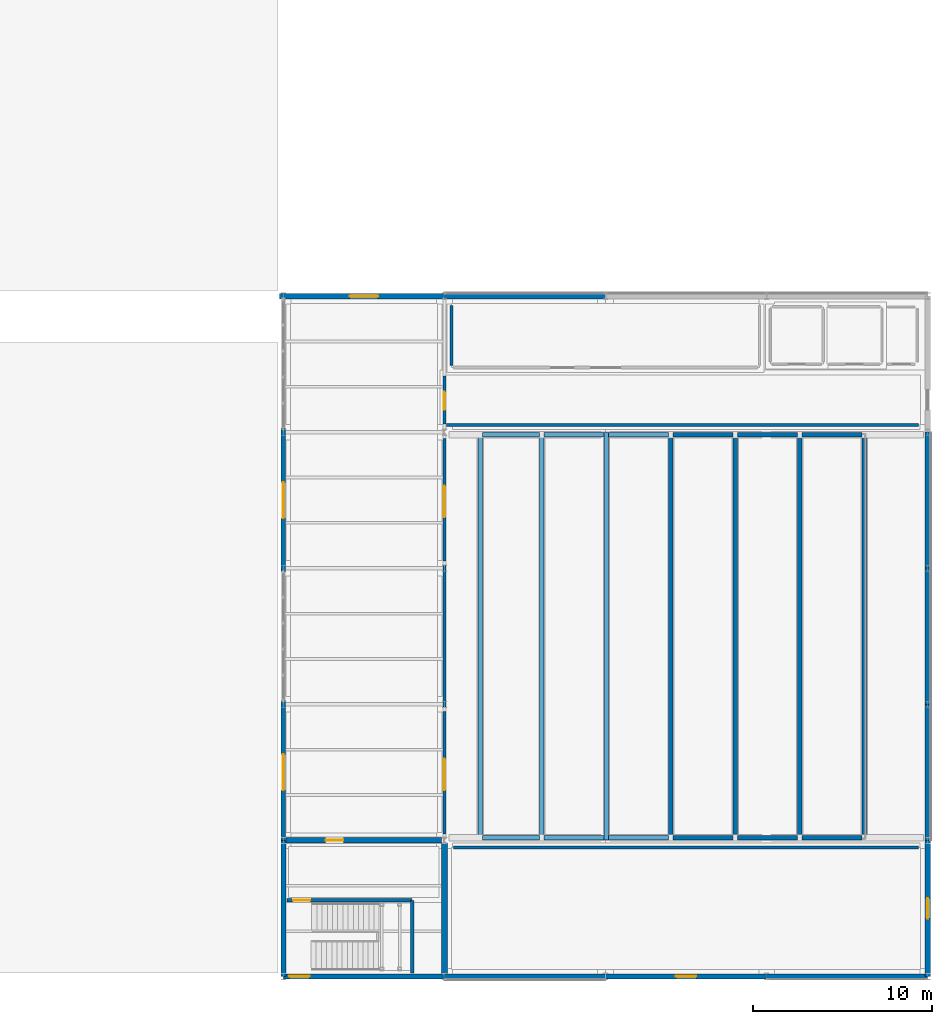
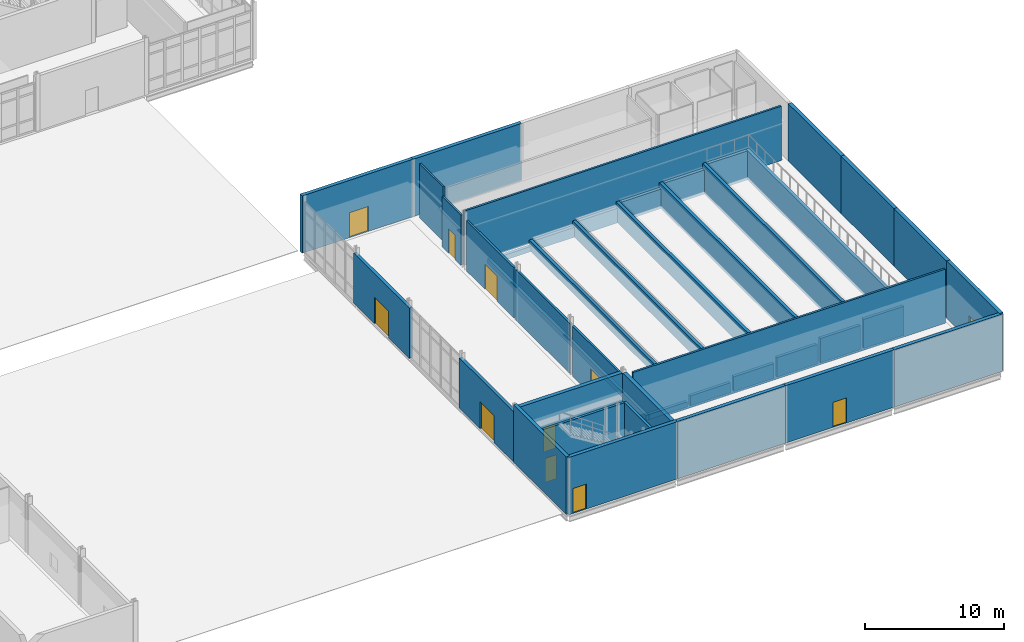
# One storey, part 148 of 161: 43 walls, 11 doors, 11 openings.
"""IFC4 building model written with IfcOpenShell, lengths in metres."""

from ifc_helpers import new_model, si_unit, direction, frame, frame_2d, origin, place, context, subcontext, project, spatial, rectangle, extrude, material, layer, layer_set, type_object, element, fill, save


model = new_model("IFC4")

# Units and contexts
model_context = context("Model", 3, precision=1e-05, world=origin(), true_north=direction((0.0, 1.0)))
body_context = subcontext(model_context, "Body", "Model", "MODEL_VIEW")
ifc_project = project(units=[si_unit("LENGTHUNIT", "METRE"), si_unit("AREAUNIT", "SQUARE_METRE"), si_unit("VOLUMEUNIT", "CUBIC_METRE"), si_unit("PLANEANGLEUNIT", "RADIAN"), si_unit("MASSUNIT", "GRAM", prefix="KILO")], contexts=[model_context])

# Site, building, storey
site_placement = place(None, origin())
site = spatial("IfcSite", under=ifc_project, at=site_placement, CompositionType="ELEMENT")
building_placement = place(site_placement, origin())
building = spatial("IfcBuilding", under=site, at=building_placement, Name="Caisbarro Railhouse Central Library", CompositionType="ELEMENT")
storey_placement = place(building_placement, origin())
storey = spatial("IfcBuildingStorey", under=building, at=storey_placement, Name="L00", CompositionType="ELEMENT", Elevation=0.0)

# Wall, opening, door
ifc_material_1 = material(Name="Concrete C40", Category="concrete")
ifc_layer_1 = layer(ifc_material_1, 0.320068359375, Name="Concrete C40")
ifc_layer_set_1 = layer_set([ifc_layer_1], Name="Concrete C40")
wall_type_1 = type_object("IfcWallType", Name="WAL-CW32", PredefinedType="SHEAR", material=ifc_layer_set_1)
wall_1_placement = place(storey_placement, frame((144.159912109375, 7.60009765625, 0.0), z_axis=(0.0, 0.0, 1.0), x_axis=(1.0, 0.0, 0.0)))
wall_1 = element("IfcWall", 1, at=wall_1_placement, inside=storey, type_object=wall_type_1, Name="CW32 RC core shear wall L00 #111", PredefinedType="SHEAR", context=body_context, shape_type="SweptSolid", body=[
    extrude(rectangle(XDim=8.68017578125, YDim=0.320068359375, at=frame_2d((4.340087890625, 0.0))), origin(), (0.0, 0.0, 1.0), 4.760009765625),
])
opening_1_placement = place(wall_1_placement, frame((2.199951171875, 0.0, 0.0)))
opening_1 = element("IfcOpeningElement", 2, at=opening_1_placement, cuts=wall_1, Name="Opening FD05", PredefinedType="OPENING", context=body_context, shape_type="SweptSolid", body=[
    extrude(rectangle(XDim=1.0, YDim=2.14990234375, at=frame_2d((0.5, 1.074951171875))), frame((0.0, 0.169921875, 0.0), z_axis=(0.0, -1.0, 0.0), x_axis=(1.0, 0.0, 0.0)), (0.0, 0.0, 1.0), 0.340087890625),
])
ifc_material_2 = material(Name="Fire-rated painted galvanised steel", Category="steel")
door_type_1 = type_object("IfcDoorType", Name="DR-FD05", OperationType="NOTDEFINED", PredefinedType="DOOR", material=ifc_material_2)
door_1_placement = place(opening_1_placement, origin())
door_1 = element("IfcDoor", 3, at=door_1_placement, inside=storey, type_object=door_type_1, Name="Core K9 Lobby Door FD05 L00-142", OperationType="SINGLE_SWING_LEFT", OverallHeight=2.14990234375, OverallWidth=1.0, PredefinedType="DOOR", context=body_context, shape_type="SweptSolid", body=[
    extrude(rectangle(XDim=1.0, YDim=2.14990234375, at=frame_2d((0.5, 1.074951171875))), frame((0.0, 0.02490234375, 0.0), z_axis=(0.0, -1.0, 0.0), x_axis=(1.0, 0.0, 0.0)), (0.0, 0.0, 1.0), 0.050048828125),
])
fill(opening_1, door_1)

# Wall
wall_2_placement = place(storey_placement, frame((153.0, 0.159912109375, 0.0), z_axis=(0.0, 0.0, 1.0), x_axis=(0.0, 1.0, 0.0)))
element("IfcWall", 4, at=wall_2_placement, inside=storey, type_object=wall_type_1, Name="CW32 RC core shear wall L00 #112", PredefinedType="SHEAR", context=body_context, shape_type="SweptSolid", body=[
    extrude(rectangle(XDim=7.280029296875, YDim=0.320068359375, at=frame_2d((3.64013671875, 0.0))), origin(), (0.0, 0.0, 1.0), 4.760009765625),
])

# Wall, opening, door
ifc_material_3 = material(Name="Concrete C35 insulated architectural precast", Category="concrete")
ifc_layer_2 = layer(ifc_material_3, 0.260009765625, Name="Concrete C35 insulated architectural precast")
ifc_layer_set_2 = layer_set([ifc_layer_2], Name="Concrete C35 insulated architectural precast")
wall_type_2 = type_object("IfcWallType", Name="WAL-EW26", PredefinedType="STANDARD", material=ifc_layer_set_2)
wall_3_placement = place(storey_placement, frame((144.0, 7.60009765625, 0.0), z_axis=(0.0, 0.0, 1.0), x_axis=(0.0, 1.0, 0.0)))
wall_3 = element("IfcWall", 5, at=wall_3_placement, inside=storey, type_object=wall_type_2, Name="EW26 exterior wall L00 #158", PredefinedType="STANDARD", context=body_context, shape_type="SweptSolid", body=[
    extrude(rectangle(XDim=7.809814453125, YDim=0.260009765625, at=frame_2d((3.90478515625, 0.0))), origin(), (0.0, 0.0, 1.0), 4.410888671875),
])
opening_2_placement = place(wall_3_placement, frame((2.800048828125, 0.0, 0.0)))
opening_2 = element("IfcOpeningElement", 6, at=opening_2_placement, cuts=wall_3, Name="Opening ED02", PredefinedType="OPENING", context=body_context, shape_type="SweptSolid", body=[
    extrude(rectangle(XDim=2.0, YDim=2.35009765625, at=frame_2d((1.0, 1.175048828125))), frame((0.0, 0.14013671875, 0.0), z_axis=(0.0, -1.0, 0.0), x_axis=(1.0, 0.0, 0.0)), (0.0, 0.0, 1.0), 0.280029296875),
])
ifc_material_4 = material(Name="Thermally broken anodised aluminium and safety glass", Category="aluminium")
door_type_2 = type_object("IfcDoorType", Name="DR-ED02", OperationType="NOTDEFINED", PredefinedType="DOOR", material=ifc_material_4)
door_2_placement = place(opening_2_placement, origin())
door_2 = element("IfcDoor", 7, at=door_2_placement, inside=storey, type_object=door_type_2, Name="Exit Door ED02 L00-29", OperationType="SINGLE_SWING_LEFT", OverallHeight=2.35009765625, OverallWidth=2.0, PredefinedType="DOOR", context=body_context, shape_type="SweptSolid", body=[
    extrude(rectangle(XDim=2.0, YDim=2.35009765625, at=frame_2d((1.0, 1.175048828125))), frame((0.0, 0.02490234375, 0.0), z_axis=(0.0, -1.0, 0.0), x_axis=(1.0, 0.0, 0.0)), (0.0, 0.0, 1.0), 0.050048828125),
])
fill(opening_2, door_2)

wall_4_placement = place(storey_placement, frame((144.0, 22.590087890625, 0.0), z_axis=(0.0, 0.0, 1.0), x_axis=(0.0, 1.0, 0.0)))
wall_4 = element("IfcWall", 8, at=wall_4_placement, inside=storey, type_object=wall_type_2, Name="EW26 exterior wall L00 #161", PredefinedType="STANDARD", context=body_context, shape_type="SweptSolid", body=[
    extrude(rectangle(XDim=8.02001953125, YDim=0.260009765625, at=frame_2d((4.010009765625, 0.0))), origin(), (0.0, 0.0, 1.0), 4.410888671875),
])
opening_3_placement = place(wall_4_placement, frame((3.010009765625, 0.0, 0.0)))
opening_3 = element("IfcOpeningElement", 9, at=opening_3_placement, cuts=wall_4, Name="Opening ED02", PredefinedType="OPENING", context=body_context, shape_type="SweptSolid", body=[
    extrude(rectangle(XDim=2.0, YDim=2.35009765625, at=frame_2d((1.0, 1.175048828125))), frame((0.0, 0.14013671875, 0.0), z_axis=(0.0, -1.0, 0.0), x_axis=(1.0, 0.0, 0.0)), (0.0, 0.0, 1.0), 0.280029296875),
])
door_3_placement = place(opening_3_placement, origin())
door_3 = element("IfcDoor", 10, at=door_3_placement, inside=storey, type_object=door_type_2, Name="Exit Door ED02 L00-30", OperationType="SINGLE_SWING_RIGHT", OverallHeight=2.35009765625, OverallWidth=2.0, PredefinedType="DOOR", context=body_context, shape_type="SweptSolid", body=[
    extrude(rectangle(XDim=2.0, YDim=2.35009765625, at=frame_2d((1.0, 1.175048828125))), frame((0.0, 0.02490234375, 0.0), z_axis=(0.0, -1.0, 0.0), x_axis=(1.0, 0.0, 0.0)), (0.0, 0.0, 1.0), 0.050048828125),
])
fill(opening_3, door_3)

# Wall
ifc_layer_3 = layer(ifc_material_1, 0.280029296875, Name="Concrete C40")
ifc_layer_set_3 = layer_set([ifc_layer_3], Name="Concrete C40")
wall_type_3 = type_object("IfcWallType", Name="WAL-EW28", PredefinedType="SOLIDWALL", material=ifc_layer_set_3)
wall_5_placement = place(storey_placement, frame((144.0, 0.0, 0.0), z_axis=(0.0, 0.0, 1.0), x_axis=(0.0, 1.0, 0.0)))
element("IfcWall", 11, at=wall_5_placement, inside=storey, type_object=wall_type_3, Name="EW28 exterior wall L00 #156", PredefinedType="SOLIDWALL", context=body_context, shape_type="SweptSolid", body=[
    extrude(rectangle(XDim=7.60009765625, YDim=0.280029296875, at=frame_2d((3.800048828125, 0.0))), origin(), (0.0, 0.0, 1.0), 5.0400390625),
])

# Wall, opening, door
ifc_layer_4 = layer(ifc_material_1, 0.300048828125, Name="Concrete C40")
ifc_layer_set_4 = layer_set([ifc_layer_4], Name="Concrete C40")
wall_type_4 = type_object("IfcWallType", Name="WAL-EW30", PredefinedType="SOLIDWALL", material=ifc_layer_set_4)
wall_6_placement = place(storey_placement, frame((180.0, 0.0, 0.0), z_axis=(0.0, 0.0, 1.0), x_axis=(0.0, 1.0, 0.0)))
wall_6 = element("IfcWall", 12, at=wall_6_placement, inside=storey, type_object=wall_type_4, Name="EW30 exterior wall L00 #157", PredefinedType="SOLIDWALL", context=body_context, shape_type="SweptSolid", body=[
    extrude(rectangle(XDim=7.60009765625, YDim=0.300048828125, at=frame_2d((3.800048828125, 0.0))), origin(), (0.0, 0.0, 1.0), 5.0400390625),
])
opening_4_placement = place(wall_6_placement, frame((3.22509765625, 0.0, 0.0)))
opening_4 = element("IfcOpeningElement", 13, at=opening_4_placement, cuts=wall_6, Name="Opening ED05", PredefinedType="OPENING", context=body_context, shape_type="SweptSolid", body=[
    extrude(rectangle(XDim=1.14990234375, YDim=2.199951171875, at=frame_2d((0.574951171875, 1.10009765625))), frame((0.0, 0.16015625, 0.0), z_axis=(0.0, -1.0, 0.0), x_axis=(1.0, 0.0, 0.0)), (0.0, 0.0, 1.0), 0.320068359375),
])
ifc_material_5 = material(Name="Galvanised painted hollow steel", Category="steel")
door_type_3 = type_object("IfcDoorType", Name="DR-ED05", OperationType="NOTDEFINED", PredefinedType="DOOR", material=ifc_material_5)
door_4_placement = place(opening_4_placement, frame((1.14990234375, 0.0, 0.0), z_axis=(0.0, 0.0, 1.0), x_axis=(-1.0, 0.0, 0.0)))
door_4 = element("IfcDoor", 14, at=door_4_placement, inside=storey, type_object=door_type_3, Name="Exit Door ED05 L00-28", OperationType="SINGLE_SWING_LEFT", OverallHeight=2.199951171875, OverallWidth=1.14990234375, PredefinedType="DOOR", context=body_context, shape_type="SweptSolid", body=[
    extrude(rectangle(XDim=1.14990234375, YDim=2.199951171875, at=frame_2d((0.574951171875, 1.10009765625))), frame((0.0, 0.02490234375, 0.0), z_axis=(0.0, -1.0, 0.0), x_axis=(1.0, 0.0, 0.0)), (0.0, 0.0, 1.0), 0.050048828125),
])
fill(opening_4, door_4)

# Walls
wall_7_placement = place(storey_placement, frame((180.0, 7.60009765625, 0.0), z_axis=(0.0, 0.0, 1.0), x_axis=(0.0, 1.0, 0.0)))
element("IfcWall", 15, at=wall_7_placement, inside=storey, type_object=wall_type_4, Name="EW30 exterior wall L00 #159", PredefinedType="SOLIDWALL", context=body_context, shape_type="SweptSolid", body=[
    extrude(rectangle(XDim=7.599853515625, YDim=0.300048828125, at=frame_2d((3.7998046875, 0.0))), origin(), (0.0, 0.0, 1.0), 5.0400390625),
])
wall_8_placement = place(storey_placement, frame((180.0, 15.199951171875, 0.0), z_axis=(0.0, 0.0, 1.0), x_axis=(0.0, 1.0, 0.0)))
element("IfcWall", 16, at=wall_8_placement, inside=storey, type_object=wall_type_4, Name="EW30 exterior wall L00 #160", PredefinedType="SOLIDWALL", context=body_context, shape_type="SweptSolid", body=[
    extrude(rectangle(XDim=7.60009765625, YDim=0.300048828125, at=frame_2d((3.800048828125, 0.0))), origin(), (0.0, 0.0, 1.0), 5.0400390625),
])
wall_9_placement = place(storey_placement, frame((180.0, 22.800048828125, 0.0), z_axis=(0.0, 0.0, 1.0), x_axis=(0.0, 1.0, 0.0)))
element("IfcWall", 17, at=wall_9_placement, inside=storey, type_object=wall_type_4, Name="EW30 exterior wall L00 #162", PredefinedType="SOLIDWALL", context=body_context, shape_type="SweptSolid", body=[
    extrude(rectangle(XDim=7.599853515625, YDim=0.300048828125, at=frame_2d((3.7998046875, 0.0))), origin(), (0.0, 0.0, 1.0), 5.0400390625),
])

# Wall, opening, door
wall_10_placement = place(storey_placement, frame((144.0, 0.0, 0.0), z_axis=(0.0, 0.0, 1.0), x_axis=(1.0, 0.0, 0.0)))
wall_10 = element("IfcWall", 18, at=wall_10_placement, inside=storey, type_object=wall_type_4, Name="EW30 exterior wall L00 #164", PredefinedType="SOLIDWALL", context=body_context, shape_type="SweptSolid", body=[
    extrude(rectangle(XDim=9.0, YDim=0.300048828125, at=frame_2d((4.5, 0.0))), origin(), (0.0, 0.0, 1.0), 5.0400390625),
])
opening_5_placement = place(wall_10_placement, frame((0.320068359375, 0.0, 0.0)))
opening_5 = element("IfcOpeningElement", 19, at=opening_5_placement, cuts=wall_10, Name="Opening ED05", PredefinedType="OPENING", context=body_context, shape_type="SweptSolid", body=[
    extrude(rectangle(XDim=1.14990234375, YDim=2.199951171875, at=frame_2d((0.574951171875, 1.10009765625))), frame((0.0, 0.16015625, 0.0), z_axis=(0.0, -1.0, 0.0), x_axis=(1.0, 0.0, 0.0)), (0.0, 0.0, 1.0), 0.320068359375),
])
door_5_placement = place(opening_5_placement, frame((1.14990234375, 0.0, 0.0), z_axis=(0.0, 0.0, 1.0), x_axis=(-1.0, 0.0, 0.0)))
door_5 = element("IfcDoor", 20, at=door_5_placement, inside=storey, type_object=door_type_3, Name="Exit Door ED05 L00-32", OperationType="SINGLE_SWING_RIGHT", OverallHeight=2.199951171875, OverallWidth=1.14990234375, PredefinedType="DOOR", context=body_context, shape_type="SweptSolid", body=[
    extrude(rectangle(XDim=1.14990234375, YDim=2.199951171875, at=frame_2d((0.574951171875, 1.10009765625))), frame((0.0, 0.02490234375, 0.0), z_axis=(0.0, -1.0, 0.0), x_axis=(1.0, 0.0, 0.0)), (0.0, 0.0, 1.0), 0.050048828125),
])
fill(opening_5, door_5)

wall_11_placement = place(storey_placement, frame((143.7900390625, 38.0, 0.0), z_axis=(0.0, 0.0, 1.0), x_axis=(1.0, 0.0, 0.0)))
wall_11 = element("IfcWall", 21, at=wall_11_placement, inside=storey, type_object=wall_type_4, Name="EW30 exterior wall L00 #165", PredefinedType="SOLIDWALL", context=body_context, shape_type="SweptSolid", body=[
    extrude(rectangle(XDim=9.2099609375, YDim=0.300048828125, at=frame_2d((4.60498046875, 0.0))), origin(), (0.0, 0.0, 1.0), 5.0400390625),
])
opening_6_placement = place(wall_11_placement, frame((3.909912109375, 0.0, 0.0)))
opening_6 = element("IfcOpeningElement", 22, at=opening_6_placement, cuts=wall_11, Name="Opening ED03", PredefinedType="OPENING", context=body_context, shape_type="SweptSolid", body=[
    extrude(rectangle(XDim=1.60009765625, YDim=2.199951171875, at=frame_2d((0.800048828125, 1.10009765625))), frame((0.0, 0.16015625, 0.0), z_axis=(0.0, -1.0, 0.0), x_axis=(1.0, 0.0, 0.0)), (0.0, 0.0, 1.0), 0.320068359375),
])
door_type_4 = type_object("IfcDoorType", Name="DR-ED03", OperationType="NOTDEFINED", PredefinedType="DOOR", material=ifc_material_4)
door_6_placement = place(opening_6_placement, origin())
door_6 = element("IfcDoor", 23, at=door_6_placement, inside=storey, type_object=door_type_4, Name="Exit Door ED03 L00-33", OperationType="SINGLE_SWING_LEFT", OverallHeight=2.199951171875, OverallWidth=1.60009765625, PredefinedType="DOOR", context=body_context, shape_type="SweptSolid", body=[
    extrude(rectangle(XDim=1.60009765625, YDim=2.199951171875, at=frame_2d((0.800048828125, 1.10009765625))), frame((0.0, 0.02490234375, 0.0), z_axis=(0.0, -1.0, 0.0), x_axis=(1.0, 0.0, 0.0)), (0.0, 0.0, 1.0), 0.050048828125),
])
fill(opening_6, door_6)

# Walls
for number, where, z_axis, x_axis, name in (
    (24, (153.0, 0.0, 0.0), (0.0, 0.0, 1.0), (1.0, 0.0, 0.0), "EW30 exterior wall L00 #166"),
    (25, (153.0, 38.0, 0.0), (0.0, 0.0, 1.0), (1.0, 0.0, 0.0), "EW30 exterior wall L00 #167"),
):
    element("IfcWall", number, at=place(storey_placement, frame(where, z_axis=z_axis, x_axis=x_axis)), inside=storey, type_object=wall_type_4, Name=name, PredefinedType="SOLIDWALL", context=body_context, shape_type="SweptSolid", body=[
        extrude(rectangle(XDim=9.0, YDim=0.300048828125, at=frame_2d((4.5, 0.0))), origin(), (0.0, 0.0, 1.0), 5.0400390625),
    ])

# Wall, opening, door
wall_12_placement = place(storey_placement, frame((162.0, 0.0, 0.0), z_axis=(0.0, 0.0, 1.0), x_axis=(1.0, 0.0, 0.0)))
wall_12 = element("IfcWall", 26, at=wall_12_placement, inside=storey, type_object=wall_type_4, Name="EW30 exterior wall L00 #168", PredefinedType="SOLIDWALL", context=body_context, shape_type="SweptSolid", body=[
    extrude(rectangle(XDim=9.0, YDim=0.300048828125, at=frame_2d((4.5, 0.0))), origin(), (0.0, 0.0, 1.0), 5.0400390625),
])
opening_7_placement = place(wall_12_placement, frame((3.925048828125, 0.0, 0.0)))
opening_7 = element("IfcOpeningElement", 27, at=opening_7_placement, cuts=wall_12, Name="Opening ED05", PredefinedType="OPENING", context=body_context, shape_type="SweptSolid", body=[
    extrude(rectangle(XDim=1.14990234375, YDim=2.199951171875, at=frame_2d((0.574951171875, 1.10009765625))), frame((0.0, 0.16015625, 0.0), z_axis=(0.0, -1.0, 0.0), x_axis=(1.0, 0.0, 0.0)), (0.0, 0.0, 1.0), 0.320068359375),
])
door_7_placement = place(opening_7_placement, frame((1.14990234375, 0.0, 0.0), z_axis=(0.0, 0.0, 1.0), x_axis=(-1.0, 0.0, 0.0)))
door_7 = element("IfcDoor", 28, at=door_7_placement, inside=storey, type_object=door_type_3, Name="Exit Door ED05 L00-34", OperationType="SINGLE_SWING_RIGHT", OverallHeight=2.199951171875, OverallWidth=1.14990234375, PredefinedType="DOOR", context=body_context, shape_type="SweptSolid", body=[
    extrude(rectangle(XDim=1.14990234375, YDim=2.199951171875, at=frame_2d((0.574951171875, 1.10009765625))), frame((0.0, 0.02490234375, 0.0), z_axis=(0.0, -1.0, 0.0), x_axis=(1.0, 0.0, 0.0)), (0.0, 0.0, 1.0), 0.050048828125),
])
fill(opening_7, door_7)

# Walls
wall_13_placement = place(storey_placement, frame((171.0, 0.0, 0.0), z_axis=(0.0, 0.0, 1.0), x_axis=(1.0, 0.0, 0.0)))
element("IfcWall", 29, at=wall_13_placement, inside=storey, type_object=wall_type_4, Name="EW30 exterior wall L00 #170", PredefinedType="SOLIDWALL", context=body_context, shape_type="SweptSolid", body=[
    extrude(rectangle(XDim=9.0, YDim=0.300048828125, at=frame_2d((4.5, 0.0))), origin(), (0.0, 0.0, 1.0), 5.0400390625),
])
ifc_material_6 = material(Name="Acoustic gypsum board on galvanised steel studs", Category="steel")
ifc_layer_5 = layer(ifc_material_6, 0.14990234375, Name="Acoustic gypsum board on galvanised steel studs")
ifc_layer_set_5 = layer_set([ifc_layer_5], Name="Acoustic gypsum board on galvanised steel studs")
wall_type_5 = type_object("IfcWallType", Name="WAL-IW15", PredefinedType="PARTITIONING", material=ifc_layer_set_5)
wall_14_placement = place(storey_placement, frame((153.39990234375, 34.1201171875, 0.0), z_axis=(0.0, 0.0, 1.0), x_axis=(0.0, 1.0, 0.0)))
element("IfcWall", 30, at=wall_14_placement, inside=storey, type_object=wall_type_5, Name="IW15 partition wall L00 #342", PredefinedType="PARTITIONING", context=body_context, shape_type="SweptSolid", body=[
    extrude(rectangle(XDim=3.35986328125, YDim=0.14990234375, at=frame_2d((1.679931640625, 0.0))), origin(), (0.0, 0.0, 1.0), 4.760009765625),
])

# Wall, opening, door
ifc_material_7 = material(Name="Plastered cellular concrete masonry", Category="masonry")
ifc_layer_6 = layer(ifc_material_7, 0.169921875, Name="Plastered cellular concrete masonry")
ifc_layer_set_6 = layer_set([ifc_layer_6], Name="Plastered cellular concrete masonry")
wall_type_6 = type_object("IfcWallType", Name="WAL-IW17", PredefinedType="PARTITIONING", material=ifc_layer_set_6)
wall_15_placement = place(storey_placement, frame((153.0, 30.85009765625, 0.0), z_axis=(0.0, 0.0, 1.0), x_axis=(0.0, 1.0, 0.0)))
wall_15 = element("IfcWall", 31, at=wall_15_placement, inside=storey, type_object=wall_type_6, Name="IW17 partition wall L00 #260", PredefinedType="PARTITIONING", context=body_context, shape_type="SweptSolid", body=[
    extrude(rectangle(XDim=2.699951171875, YDim=0.169921875, at=frame_2d((1.35009765625, 0.0))), origin(), (0.0, 0.0, 1.0), 4.410888671875),
])
opening_8_placement = place(wall_15_placement, frame((0.800048828125, 0.0, 0.0)))
opening_8 = element("IfcOpeningElement", 32, at=opening_8_placement, cuts=wall_15, Name="Opening FD05", PredefinedType="OPENING", context=body_context, shape_type="SweptSolid", body=[
    extrude(rectangle(XDim=1.0, YDim=2.14990234375, at=frame_2d((0.5, 1.074951171875))), frame((0.0, 0.094970703125, 0.0), z_axis=(0.0, -1.0, 0.0), x_axis=(1.0, 0.0, 0.0)), (0.0, 0.0, 1.0), 0.18994140625),
])
door_8_placement = place(opening_8_placement, origin())
door_8 = element("IfcDoor", 33, at=door_8_placement, inside=storey, type_object=door_type_1, Name="Auditorium North Corridor Egress Door FD05 L00-175", OperationType="SINGLE_SWING_LEFT", OverallHeight=2.14990234375, OverallWidth=1.0, PredefinedType="DOOR", context=body_context, shape_type="SweptSolid", body=[
    extrude(rectangle(XDim=1.0, YDim=2.14990234375, at=frame_2d((0.5, 1.074951171875))), frame((0.0, 0.02490234375, 0.0), z_axis=(0.0, -1.0, 0.0), x_axis=(1.0, 0.0, 0.0)), (0.0, 0.0, 1.0), 0.050048828125),
])
fill(opening_8, door_8)

wall_16_placement = place(storey_placement, frame((153.0, 7.949951171875, 0.0), z_axis=(0.0, 0.0, 1.0), x_axis=(0.0, 1.0, 0.0)))
wall_16 = element("IfcWall", 34, at=wall_16_placement, inside=storey, type_object=wall_type_6, Name="IW17 partition wall L00 #261", PredefinedType="PARTITIONING", context=body_context, shape_type="SweptSolid", body=[
    extrude(rectangle(XDim=6.85009765625, YDim=0.169921875, at=frame_2d((3.425048828125, 0.0))), origin(), (0.0, 0.0, 1.0), 4.410888671875),
])
opening_9_placement = place(wall_16_placement, frame((2.449951171875, 0.0, 0.0)))
opening_9 = element("IfcOpeningElement", 35, at=opening_9_placement, cuts=wall_16, Name="Opening FD08", PredefinedType="OPENING", context=body_context, shape_type="SweptSolid", body=[
    extrude(rectangle(XDim=1.75, YDim=2.219970703125, at=frame_2d((0.875, 1.10986328125))), frame((0.0, 0.094970703125, 0.0), z_axis=(0.0, -1.0, 0.0), x_axis=(1.0, 0.0, 0.0)), (0.0, 0.0, 1.0), 0.18994140625),
])
door_type_5 = type_object("IfcDoorType", Name="DR-FD08", OperationType="NOTDEFINED", PredefinedType="DOOR", material=ifc_material_2)
door_9_placement = place(opening_9_placement, origin())
door_9 = element("IfcDoor", 36, at=door_9_placement, inside=storey, type_object=door_type_5, Name="Raked Civic Auditorium South Entry Door FD08 L00-176", OperationType="SINGLE_SWING_RIGHT", OverallHeight=2.219970703125, OverallWidth=1.75, PredefinedType="DOOR", context=body_context, shape_type="SweptSolid", body=[
    extrude(rectangle(XDim=1.75, YDim=2.219970703125, at=frame_2d((0.875, 1.10986328125))), frame((0.0, 0.02490234375, 0.0), z_axis=(0.0, -1.0, 0.0), x_axis=(1.0, 0.0, 0.0)), (0.0, 0.0, 1.0), 0.050048828125),
])
fill(opening_9, door_9)

# Wall
wall_17_placement = place(storey_placement, frame((153.0, 15.050048828125, 0.0), z_axis=(0.0, 0.0, 1.0), x_axis=(0.0, 1.0, 0.0)))
element("IfcWall", 37, at=wall_17_placement, inside=storey, type_object=wall_type_6, Name="IW17 partition wall L00 #262", PredefinedType="PARTITIONING", context=body_context, shape_type="SweptSolid", body=[
    extrude(rectangle(XDim=7.89990234375, YDim=0.169921875, at=frame_2d((3.949951171875, 0.0))), origin(), (0.0, 0.0, 1.0), 4.410888671875),
])

# Wall, opening, door
wall_18_placement = place(storey_placement, frame((153.0, 23.199951171875, 0.0), z_axis=(0.0, 0.0, 1.0), x_axis=(0.0, 1.0, 0.0)))
wall_18 = element("IfcWall", 38, at=wall_18_placement, inside=storey, type_object=wall_type_6, Name="IW17 partition wall L00 #263", PredefinedType="PARTITIONING", context=body_context, shape_type="SweptSolid", body=[
    extrude(rectangle(XDim=6.85009765625, YDim=0.169921875, at=frame_2d((3.425048828125, 0.0))), origin(), (0.0, 0.0, 1.0), 4.410888671875),
])
opening_10_placement = place(wall_18_placement, frame((2.449951171875, 0.0, 0.0)))
opening_10 = element("IfcOpeningElement", 39, at=opening_10_placement, cuts=wall_18, Name="Opening FD08", PredefinedType="OPENING", context=body_context, shape_type="SweptSolid", body=[
    extrude(rectangle(XDim=1.75, YDim=2.219970703125, at=frame_2d((0.875, 1.10986328125))), frame((0.0, 0.094970703125, 0.0), z_axis=(0.0, -1.0, 0.0), x_axis=(1.0, 0.0, 0.0)), (0.0, 0.0, 1.0), 0.18994140625),
])
door_10_placement = place(opening_10_placement, origin())
door_10 = element("IfcDoor", 40, at=door_10_placement, inside=storey, type_object=door_type_5, Name="Raked Civic Auditorium North Entry Door FD08 L00-177", OperationType="SINGLE_SWING_LEFT", OverallHeight=2.219970703125, OverallWidth=1.75, PredefinedType="DOOR", context=body_context, shape_type="SweptSolid", body=[
    extrude(rectangle(XDim=1.75, YDim=2.219970703125, at=frame_2d((0.875, 1.10986328125))), frame((0.0, 0.02490234375, 0.0), z_axis=(0.0, -1.0, 0.0), x_axis=(1.0, 0.0, 0.0)), (0.0, 0.0, 1.0), 0.050048828125),
])
fill(opening_10, door_10)

# Walls
wall_19_placement = place(storey_placement, frame((153.52001953125, 7.199951171875, 0.0), z_axis=(0.0, 0.0, 1.0), x_axis=(1.0, 0.0, 0.0)))
element("IfcWall", 41, at=wall_19_placement, inside=storey, type_object=wall_type_6, Name="IW17 partition wall L00 #366", PredefinedType="PARTITIONING", context=body_context, shape_type="SweptSolid", body=[
    extrude(rectangle(XDim=25.9599609375, YDim=0.169921875, at=frame_2d((12.97998046875, 0.0))), origin(), (0.0, 0.0, 1.0), 4.760009765625),
])
wall_20_placement = place(storey_placement, frame((153.1201171875, 30.800048828125, 0.0), z_axis=(0.0, 0.0, 1.0), x_axis=(1.0, 0.0, 0.0)))
element("IfcWall", 42, at=wall_20_placement, inside=storey, type_object=wall_type_6, Name="IW17 partition wall L00 #367", PredefinedType="PARTITIONING", context=body_context, shape_type="SweptSolid", body=[
    extrude(rectangle(XDim=26.35986328125, YDim=0.169921875, at=frame_2d((13.179931640625, 0.0))), origin(), (0.0, 0.0, 1.0), 4.760009765625),
])

# Wall, opening, door
ifc_layer_7 = layer(ifc_material_1, 0.2099609375, Name="Concrete C40")
ifc_layer_set_7 = layer_set([ifc_layer_7], Name="Concrete C40")
wall_type_7 = type_object("IfcWallType", Name="WAL-SW21", PredefinedType="SOLIDWALL", material=ifc_layer_set_7)
wall_21_placement = place(storey_placement, frame((144.199951171875, 4.25, 0.0), z_axis=(0.0, 0.0, 1.0), x_axis=(1.0, 0.0, 0.0)))
wall_21 = element("IfcWall", 43, at=wall_21_placement, inside=storey, type_object=wall_type_7, Name="SW21 core shaft wall L00 #165", PredefinedType="SOLIDWALL", context=body_context, shape_type="SweptSolid", body=[
    extrude(rectangle(XDim=7.0, YDim=0.2099609375, at=frame_2d((3.5, 0.0))), origin(), (0.0, 0.0, 1.0), 4.760009765625),
])
opening_11_placement = place(wall_21_placement, frame((0.35009765625, 0.0, 0.0)))
opening_11 = element("IfcOpeningElement", 44, at=opening_11_placement, cuts=wall_21, Name="Opening FD01", PredefinedType="OPENING", context=body_context, shape_type="SweptSolid", body=[
    extrude(rectangle(XDim=0.949951171875, YDim=2.1201171875, at=frame_2d((0.47509765625, 1.06005859375))), frame((0.0, 0.114990234375, 0.0), z_axis=(0.0, -1.0, 0.0), x_axis=(1.0, 0.0, 0.0)), (0.0, 0.0, 1.0), 0.22998046875),
])
door_type_6 = type_object("IfcDoorType", Name="DR-FD01", OperationType="NOTDEFINED", PredefinedType="DOOR", material=ifc_material_2)
door_11_placement = place(opening_11_placement, origin())
door_11 = element("IfcDoor", 45, at=door_11_placement, inside=storey, type_object=door_type_6, Name="Stair ST-09 Fire Door FD01 L00-141", OperationType="SINGLE_SWING_RIGHT", OverallHeight=2.1201171875, OverallWidth=0.949951171875, PredefinedType="DOOR", context=body_context, shape_type="SweptSolid", body=[
    extrude(rectangle(XDim=0.949951171875, YDim=2.1201171875, at=frame_2d((0.47509765625, 1.06005859375))), frame((0.0, 0.02490234375, 0.0), z_axis=(0.0, -1.0, 0.0), x_axis=(1.0, 0.0, 0.0)), (0.0, 0.0, 1.0), 0.050048828125),
])
fill(opening_11, door_11)

# Walls
wall_22_placement = place(storey_placement, frame((151.199951171875, 0.199951171875, 0.0), z_axis=(0.0, 0.0, 1.0), x_axis=(0.0, 1.0, 0.0)))
element("IfcWall", 46, at=wall_22_placement, inside=storey, type_object=wall_type_7, Name="SW21 core shaft wall L00 #166", PredefinedType="SOLIDWALL", context=body_context, shape_type="SweptSolid", body=[
    extrude(rectangle(XDim=4.050048828125, YDim=0.2099609375, at=frame_2d((2.02490234375, 0.0))), origin(), (0.0, 0.0, 1.0), 4.760009765625),
])
ifc_layer_8 = layer(ifc_material_1, 0.25, Name="Concrete C40")
ifc_layer_set_8 = layer_set([ifc_layer_8], Name="Concrete C40")
wall_type_8 = type_object("IfcWallType", Name="WAL-TIER25", PredefinedType="SOLIDWALL", material=ifc_layer_set_8)
wall_23_placement = place(storey_placement, frame((155.0, 7.625, -0.25), z_axis=(0.0, 0.0, 1.0), x_axis=(0.0, 1.0, 0.0)))
element("IfcWall", 47, at=wall_23_placement, inside=storey, type_object=wall_type_8, Name="Auditorium Tier Starter Riser Wall", PredefinedType="SOLIDWALL", context=body_context, shape_type="SweptSolid", body=[
    extrude(rectangle(XDim=22.75, YDim=0.25, at=frame_2d((11.375, 0.0))), origin(), (0.0, 0.0, 1.0), 0.449951171875),
])
wall_24_placement = place(storey_placement, frame((158.449951171875, 7.625, -0.25), z_axis=(0.0, 0.0, 1.0), x_axis=(0.0, 1.0, 0.0)))
element("IfcWall", 48, at=wall_24_placement, inside=storey, type_object=wall_type_8, Name="Auditorium Tier Support Wall 1", PredefinedType="SOLIDWALL", context=body_context, shape_type="SweptSolid", body=[
    extrude(rectangle(XDim=22.75, YDim=0.25, at=frame_2d((11.375, 0.0))), origin(), (0.0, 0.0, 1.0), 0.8701171875),
])
for number, where, z_axis, x_axis, name in (
    (49, (155.125, 7.75, -0.25), (0.0, 0.0, 1.0), (1.0, 0.0, 0.0), "Auditorium Tier Cheek Wall 1 S"),
    (50, (155.125, 30.25, -0.25), (0.0, 0.0, 1.0), (1.0, 0.0, 0.0), "Auditorium Tier Cheek Wall 1 N"),
):
    element("IfcWall", number, at=place(storey_placement, frame(where, z_axis=z_axis, x_axis=x_axis)), inside=storey, type_object=wall_type_8, Name=name, PredefinedType="SOLIDWALL", context=body_context, shape_type="SweptSolid", body=[
        extrude(rectangle(XDim=3.199951171875, YDim=0.25, at=frame_2d((1.60009765625, 0.0))), origin(), (0.0, 0.0, 1.0), 0.449951171875),
    ])
wall_25_placement = place(storey_placement, frame((162.050048828125, 7.625, -0.25), z_axis=(0.0, 0.0, 1.0), x_axis=(0.0, 1.0, 0.0)))
element("IfcWall", 51, at=wall_25_placement, inside=storey, type_object=wall_type_8, Name="Auditorium Tier Support Wall 2", PredefinedType="SOLIDWALL", context=body_context, shape_type="SweptSolid", body=[
    extrude(rectangle(XDim=22.75, YDim=0.25, at=frame_2d((11.375, 0.0))), origin(), (0.0, 0.0, 1.0), 1.2900390625),
])
for number, where, z_axis, x_axis, name in (
    (52, (158.574951171875, 7.75, -0.25), (0.0, 0.0, 1.0), (1.0, 0.0, 0.0), "Auditorium Tier Cheek Wall 2 S"),
    (53, (158.574951171875, 30.25, -0.25), (0.0, 0.0, 1.0), (1.0, 0.0, 0.0), "Auditorium Tier Cheek Wall 2 N"),
):
    element("IfcWall", number, at=place(storey_placement, frame(where, z_axis=z_axis, x_axis=x_axis)), inside=storey, type_object=wall_type_8, Name=name, PredefinedType="SOLIDWALL", context=body_context, shape_type="SweptSolid", body=[
        extrude(rectangle(XDim=3.35009765625, YDim=0.25, at=frame_2d((1.675048828125, 0.0))), origin(), (0.0, 0.0, 1.0), 0.8701171875),
    ])
wall_26_placement = place(storey_placement, frame((165.64990234375, 7.625, -0.25), z_axis=(0.0, 0.0, 1.0), x_axis=(0.0, 1.0, 0.0)))
element("IfcWall", 54, at=wall_26_placement, inside=storey, type_object=wall_type_8, Name="Auditorium Tier Support Wall 3", PredefinedType="SOLIDWALL", context=body_context, shape_type="SweptSolid", body=[
    extrude(rectangle(XDim=22.75, YDim=0.25, at=frame_2d((11.375, 0.0))), origin(), (0.0, 0.0, 1.0), 1.7099609375),
])
for number, where, z_axis, x_axis, name in (
    (55, (162.175048828125, 7.75, -0.25), (0.0, 0.0, 1.0), (1.0, 0.0, 0.0), "Auditorium Tier Cheek Wall 3 S"),
    (56, (162.175048828125, 30.25, -0.25), (0.0, 0.0, 1.0), (1.0, 0.0, 0.0), "Auditorium Tier Cheek Wall 3 N"),
):
    element("IfcWall", number, at=place(storey_placement, frame(where, z_axis=z_axis, x_axis=x_axis)), inside=storey, type_object=wall_type_8, Name=name, PredefinedType="SOLIDWALL", context=body_context, shape_type="SweptSolid", body=[
        extrude(rectangle(XDim=3.349853515625, YDim=0.25, at=frame_2d((1.6748046875, 0.0))), origin(), (0.0, 0.0, 1.0), 1.2900390625),
    ])
wall_27_placement = place(storey_placement, frame((169.25, 7.625, -0.25), z_axis=(0.0, 0.0, 1.0), x_axis=(0.0, 1.0, 0.0)))
element("IfcWall", 57, at=wall_27_placement, inside=storey, type_object=wall_type_8, Name="Auditorium Tier Support Wall 4", PredefinedType="SOLIDWALL", context=body_context, shape_type="SweptSolid", body=[
    extrude(rectangle(XDim=22.75, YDim=0.25, at=frame_2d((11.375, 0.0))), origin(), (0.0, 0.0, 1.0), 2.1298828125),
])
for number, where, z_axis, x_axis, name in (
    (58, (165.77490234375, 7.75, -0.25), (0.0, 0.0, 1.0), (1.0, 0.0, 0.0), "Auditorium Tier Cheek Wall 4 S"),
    (59, (165.77490234375, 30.25, -0.25), (0.0, 0.0, 1.0), (1.0, 0.0, 0.0), "Auditorium Tier Cheek Wall 4 N"),
):
    element("IfcWall", number, at=place(storey_placement, frame(where, z_axis=z_axis, x_axis=x_axis)), inside=storey, type_object=wall_type_8, Name=name, PredefinedType="SOLIDWALL", context=body_context, shape_type="SweptSolid", body=[
        extrude(rectangle(XDim=3.35009765625, YDim=0.25, at=frame_2d((1.675048828125, 0.0))), origin(), (0.0, 0.0, 1.0), 1.7099609375),
    ])
wall_28_placement = place(storey_placement, frame((172.85009765625, 7.625, -0.25), z_axis=(0.0, 0.0, 1.0), x_axis=(0.0, 1.0, 0.0)))
element("IfcWall", 60, at=wall_28_placement, inside=storey, type_object=wall_type_8, Name="Auditorium Tier Support Wall 5", PredefinedType="SOLIDWALL", context=body_context, shape_type="SweptSolid", body=[
    extrude(rectangle(XDim=22.75, YDim=0.25, at=frame_2d((11.375, 0.0))), origin(), (0.0, 0.0, 1.0), 2.550048828125),
])
for number, where, z_axis, x_axis, name in (
    (61, (169.375, 7.75, -0.25), (0.0, 0.0, 1.0), (1.0, 0.0, 0.0), "Auditorium Tier Cheek Wall 5 S"),
    (62, (169.375, 30.25, -0.25), (0.0, 0.0, 1.0), (1.0, 0.0, 0.0), "Auditorium Tier Cheek Wall 5 N"),
):
    element("IfcWall", number, at=place(storey_placement, frame(where, z_axis=z_axis, x_axis=x_axis)), inside=storey, type_object=wall_type_8, Name=name, PredefinedType="SOLIDWALL", context=body_context, shape_type="SweptSolid", body=[
        extrude(rectangle(XDim=3.35009765625, YDim=0.25, at=frame_2d((1.675048828125, 0.0))), origin(), (0.0, 0.0, 1.0), 2.1298828125),
    ])
wall_29_placement = place(storey_placement, frame((176.449951171875, 7.625, -0.25), z_axis=(0.0, 0.0, 1.0), x_axis=(0.0, 1.0, 0.0)))
element("IfcWall", 63, at=wall_29_placement, inside=storey, type_object=wall_type_8, Name="Auditorium Tier Support Wall 6", PredefinedType="SOLIDWALL", context=body_context, shape_type="SweptSolid", body=[
    extrude(rectangle(XDim=22.75, YDim=0.25, at=frame_2d((11.375, 0.0))), origin(), (0.0, 0.0, 1.0), 2.550048828125),
])
for number, where, z_axis, x_axis, name in (
    (64, (172.97509765625, 7.75, -0.25), (0.0, 0.0, 1.0), (1.0, 0.0, 0.0), "Auditorium Tier Cheek Wall 6 S"),
    (65, (172.97509765625, 30.25, -0.25), (0.0, 0.0, 1.0), (1.0, 0.0, 0.0), "Auditorium Tier Cheek Wall 6 N"),
):
    element("IfcWall", number, at=place(storey_placement, frame(where, z_axis=z_axis, x_axis=x_axis)), inside=storey, type_object=wall_type_8, Name=name, PredefinedType="SOLIDWALL", context=body_context, shape_type="SweptSolid", body=[
        extrude(rectangle(XDim=3.349853515625, YDim=0.25, at=frame_2d((1.6748046875, 0.0))), origin(), (0.0, 0.0, 1.0), 2.550048828125),
    ])

save(model, "model.ifc")
